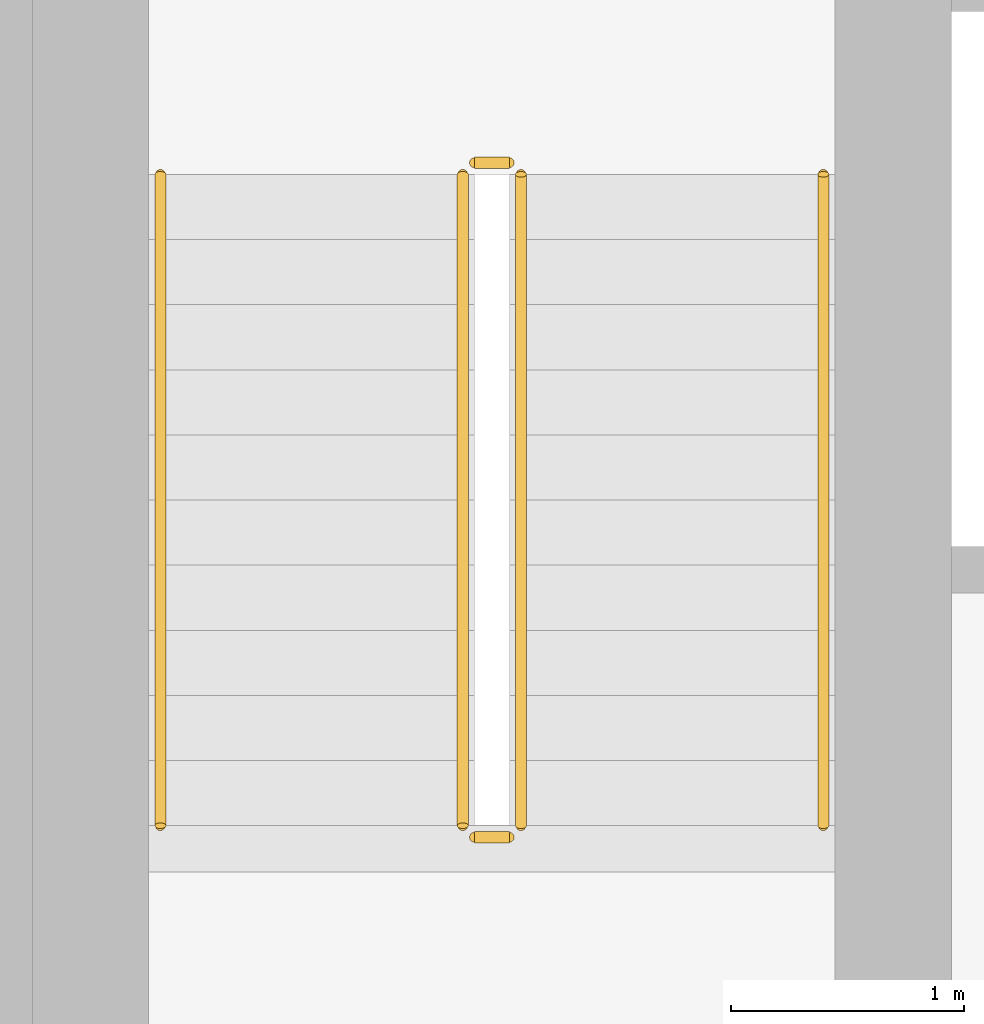
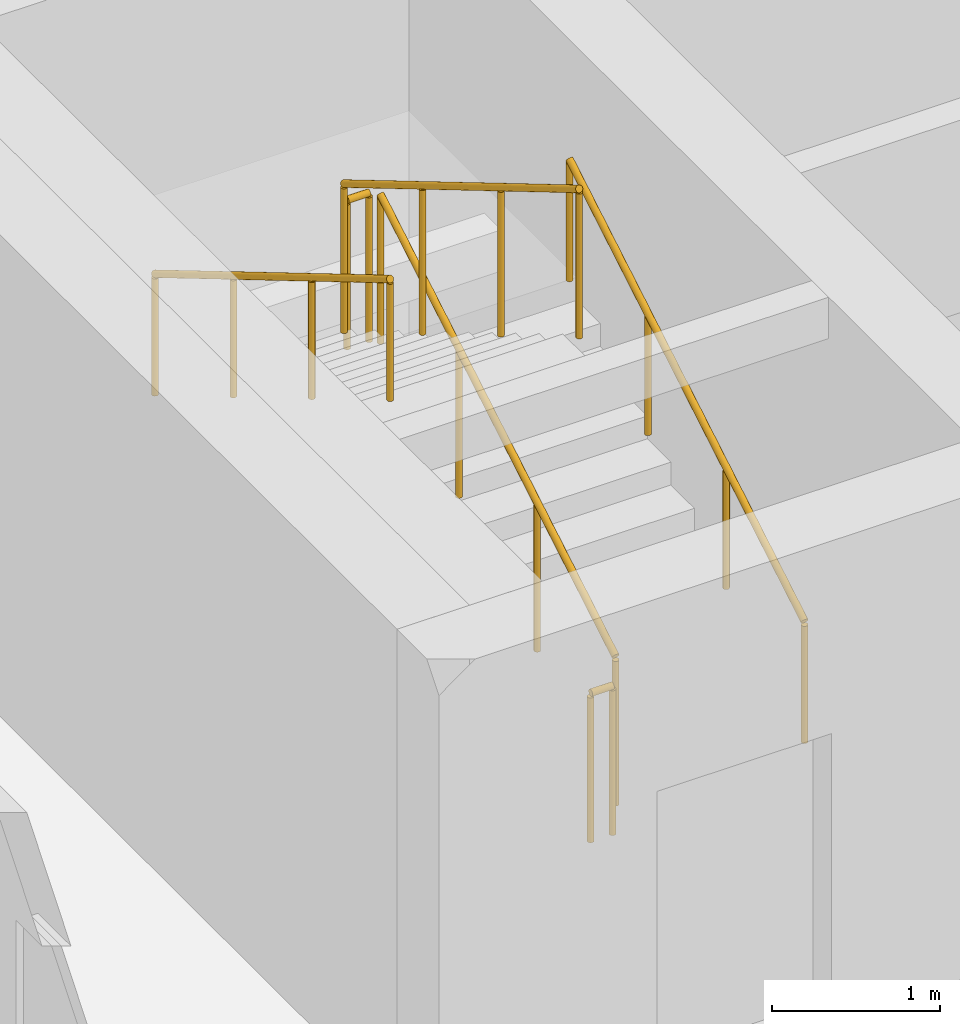
# One storey, part 18 of 22: 6 railings.
"""IFC4 building model written with IfcOpenShell, lengths in metres."""

import ifcopenshell
import ifcopenshell.guid

model = None  # the IFC model being written
_history = None  # IfcOwnerHistory: only IFC2X3 demands one
_inside = {}  # id of a spatial element -> (the spatial element, [elements in it])
_under = {}  # id of a project, library or spatial element -> (it, [spatial elements below it])
_declared = {}  # id of a project -> (the project, [libraries it declares])
_typed = {}  # id of a type object -> (the type object, [elements of that type])
_made_of = {}  # id of a material, layer set ... -> (it, [elements and type objects made of it])


def new_model(schema):
    """Start an empty IFC model of exactly this schema.

    Asked for "IFC4X3", IfcOpenShell would pick the latest addendum, in which some entities
    have other attributes; the version numbers below select the first issue.
    IFC2X3 requires an IfcOwnerHistory on every rooted entity: one is made here for all.
    """
    global model, _history
    if schema == "IFC4X3":
        model = ifcopenshell.file(schema_version=(4, 3, 0, 0))
    else:
        model = ifcopenshell.file(schema=schema)
    _inside.clear()
    _under.clear()
    _declared.clear()
    _typed.clear()
    _made_of.clear()
    _history = None
    if model.schema == "IFC2X3":
        org = make("IfcOrganization", Name="unknown")
        user = make(
            "IfcPersonAndOrganization",
            ThePerson=make("IfcPerson", FamilyName="unknown"),
            TheOrganization=org,
        )
        app = make(
            "IfcApplication",
            ApplicationDeveloper=org,
            Version="unknown",
            ApplicationFullName="unknown",
            ApplicationIdentifier="unknown",
        )
        _history = make(
            "IfcOwnerHistory",
            OwningUser=user,
            OwningApplication=app,
            ChangeAction="ADDED",
            CreationDate=0,
        )
    return model


def make(cls, **values):
    """One entity of the class cls with the attributes given. An attribute that is None is left unset."""
    return model.create_entity(
        cls, **{name: value for name, value in values.items() if value is not None}
    )


def rooted(cls, **values):
    """An entity with a GlobalId (a new one), such as an element, a storey or a relation."""
    return make(cls, GlobalId=ifcopenshell.guid.new(), OwnerHistory=_history, **values)


def si_unit(unit_type, name, prefix=None):
    """IfcSIUnit, for example si_unit("LENGTHUNIT", "METRE", prefix="MILLI")."""
    return make("IfcSIUnit", UnitType=unit_type, Prefix=prefix, Name=name)


def assignment(units):
    """IfcUnitAssignment: the units of a project."""
    return None if units is None else make("IfcUnitAssignment", Units=units)


def point(xyz):
    """IfcCartesianPoint."""
    return None if xyz is None else make("IfcCartesianPoint", Coordinates=xyz)


def direction(xyz):
    """IfcDirection."""
    return None if xyz is None else make("IfcDirection", DirectionRatios=xyz)


def frame(location, z_axis=None, x_axis=None):
    """IfcAxis2Placement3D, a coordinate frame: its origin and axes. An axis left out is left unset."""
    return make(
        "IfcAxis2Placement3D",
        Location=point(location),
        Axis=direction(z_axis),
        RefDirection=direction(x_axis),
    )


def frame_2d(location, x_axis=None):
    """IfcAxis2Placement2D, a coordinate frame in the plane: its origin and x axis."""
    return make(
        "IfcAxis2Placement2D", Location=point(location), RefDirection=direction(x_axis)
    )


def origin():
    """The frame at (0, 0, 0) with its axes left unset."""
    return frame((0.0, 0.0, 0.0))


def origin_2d():
    """The frame at (0, 0) in the plane with its x axis left unset."""
    return frame_2d((0.0, 0.0))


def place(relative_to, where):
    """IfcLocalPlacement: puts the frame where relative to a parent placement (None: the world)."""
    return make(
        "IfcLocalPlacement", PlacementRelTo=relative_to, RelativePlacement=where
    )


def context(
    kind, dimensions, precision=None, world=None, true_north=None, identifier=None
):
    """IfcGeometricRepresentationContext, for example the 3D "Model" context."""
    return make(
        "IfcGeometricRepresentationContext",
        ContextIdentifier=identifier,
        ContextType=kind,
        CoordinateSpaceDimension=dimensions,
        Precision=precision,
        WorldCoordinateSystem=world,
        TrueNorth=true_north,
    )


def subcontext(parent, identifier, kind, view, scale=None):
    """IfcGeometricRepresentationSubContext, for example "Body" below "Model"."""
    return make(
        "IfcGeometricRepresentationSubContext",
        ContextIdentifier=identifier,
        ContextType=kind,
        ParentContext=parent,
        TargetScale=scale,
        TargetView=view,
    )


def project(units=None, contexts=None):
    """IfcProject with its units and contexts."""
    return rooted(
        "IfcProject",
        Name="project",
        RepresentationContexts=contexts,
        UnitsInContext=assignment(units),
    )


def spatial(cls, under=None, at=None, **own):
    """A site, building, storey or space (cls), placed at a placement, below another one or the project."""
    s = rooted(cls, ObjectPlacement=at, **own)
    if under is not None:
        _under.setdefault(under.id(), (under, []))[1].append(s)
    return s


def profile(cls, at=None, kind="AREA", **sizes):
    """A parametric profile (cls). Its sizes go by their IFC names, for example OverallWidth=200.0."""
    return make(cls, ProfileType=kind, Position=at, **sizes)


def circle(**sizes):
    """IfcCircleProfileDef."""
    return profile("IfcCircleProfileDef", **sizes)


def extrude(swept, where, along, depth):
    """IfcExtrudedAreaSolid: the profile swept, set in the frame where, extruded along a direction by depth."""
    return make(
        "IfcExtrudedAreaSolid",
        SweptArea=swept,
        Position=where,
        ExtrudedDirection=direction(along),
        Depth=depth,
    )


def shape(context_of_items, identifier, shape_type, items):
    """IfcShapeRepresentation: the items that make up one representation, for example the "Body"."""
    return make(
        "IfcShapeRepresentation",
        ContextOfItems=context_of_items,
        RepresentationIdentifier=identifier,
        RepresentationType=shape_type,
        Items=items,
    )


def material(Name=None, Category=None):
    """IfcMaterial."""
    return make("IfcMaterial", Name=Name, Category=Category)


def made_of(thing, what):
    """Note that an element or type object is made of a material, layer set ...; save() writes the relation."""
    if what is not None:
        _made_of.setdefault(what.id(), (what, []))[1].append(thing)
    return thing


def type_object(cls, material=None, **own):
    """A type object (cls), such as IfcWallType, which elements share."""
    return made_of(rooted(cls, **own), material)


def element(
    cls,
    number,
    at=None,
    inside=None,
    cuts=None,
    type_object=None,
    material=None,
    context=None,
    identifier="Body",
    shape_type=None,
    held_by="IfcProductDefinitionShape",
    body=None,
    shapes=None,
    **own,
):
    """One element of the class cls, such as IfcWall. Its Tag is "e" and its number.

    at: its placement. inside: the storey or other place that contains it. cuts: it is an
    opening in that element (IfcRelVoidsElement). A single representation is given by context,
    identifier, shape_type and body (its items); several are given by shapes. held_by: the class
    of the entity that holds the representations. save() writes the other relations.
    """
    e = rooted(cls, Tag="e%d" % number, ObjectPlacement=at, **own)
    if body is not None:
        shapes = [shape(context, identifier, shape_type, body)]
    if shapes is not None:
        e.Representation = make(held_by, Representations=shapes)
    if inside is not None:
        _inside.setdefault(inside.id(), (inside, []))[1].append(e)
    if cuts is not None:
        rooted(
            "IfcRelVoidsElement", RelatingBuildingElement=cuts, RelatedOpeningElement=e
        )
    if type_object is not None:
        _typed.setdefault(type_object.id(), (type_object, []))[1].append(e)
    return made_of(e, material)


def aggregate(whole, parts):
    """IfcRelAggregates: a whole, such as a stair, and the parts it consists of."""
    return rooted("IfcRelAggregates", RelatingObject=whole, RelatedObjects=parts)


def save(model, path):
    """Write the relations noted so far, then the file.

    IfcRelAggregates (storeys below a building ...), IfcRelContainedInSpatialStructure (elements
    in a storey), IfcRelDefinesByType, IfcRelAssociatesMaterial and IfcRelDeclares: one each for
    every whole, place, type object, material and project.
    """
    for whole, parts in _under.values():
        aggregate(whole, parts)
    for where, things in _inside.values():
        rooted(
            "IfcRelContainedInSpatialStructure",
            RelatedElements=things,
            RelatingStructure=where,
        )
    for kind, things in _typed.values():
        rooted("IfcRelDefinesByType", RelatedObjects=things, RelatingType=kind)
    for what, things in _made_of.values():
        rooted("IfcRelAssociatesMaterial", RelatedObjects=things, RelatingMaterial=what)
    for by, libraries in _declared.values():
        rooted("IfcRelDeclares", RelatingContext=by, RelatedDefinitions=libraries)
    model.write(path)


model = new_model("IFC4")

# Units and contexts
model_context = context("Model", 3, precision=1e-05, world=origin(), true_north=direction((0.0, 1.0)))
body_context = subcontext(model_context, "Body", "Model", "MODEL_VIEW")
ifc_project = project(units=[si_unit("LENGTHUNIT", "METRE"), si_unit("AREAUNIT", "SQUARE_METRE"), si_unit("VOLUMEUNIT", "CUBIC_METRE"), si_unit("PLANEANGLEUNIT", "RADIAN"), si_unit("MASSUNIT", "GRAM", prefix="KILO")], contexts=[model_context])

# Site, building, storey
site_placement = place(None, origin())
site = spatial("IfcSite", under=ifc_project, at=site_placement, CompositionType="ELEMENT")
building_placement = place(site_placement, origin())
building = spatial("IfcBuilding", under=site, at=building_placement, Name="Isthmus Gate Tower", CompositionType="ELEMENT")
storey_placement = place(building_placement, frame((0.0, 0.0, 264.60009765625)))
storey = spatial("IfcBuildingStorey", under=building, at=storey_placement, Name="L67", CompositionType="ELEMENT", Elevation=264.60009765625)

# Railings
ifc_material_1 = material(Name="Stainless steel balustrade", Category="steel")
railing_type_1 = type_object("IfcRailingType", Name="STAIR GUARD 1100", PredefinedType="GUARDRAIL", material=ifc_material_1)
railing_1_placement = place(storey_placement, frame((-12.39990234375, 2.39990234375, 0.165771484375)))
element("IfcRailing", 1, at=railing_1_placement, inside=storey, type_object=railing_type_1, Name="L67 ST7 stair guard 1", PredefinedType="GUARDRAIL", context=body_context, shape_type="SweptSolid", body=[
    extrude(circle(Radius=0.02392578125, at=origin_2d()), frame((0.0, 0.0, 1.076171875), z_axis=(0.0, 0.860306154799, 0.50977771628), x_axis=(-1.0, 0.0, 0.0)), (0.0, 0.0, 1.0), 3.254638671875),
    extrude(circle(Radius=0.02099609375, at=origin_2d()), origin(), (0.0, 0.0, 1.0), 1.052001953125),
    extrude(circle(Radius=0.02099609375, at=origin_2d()), frame((0.0, 0.933349609375, 0.552978515625)), (0.0, 0.0, 1.0), 1.052001953125),
    extrude(circle(Radius=0.02099609375, at=origin_2d()), frame((0.0, 1.86669921875, 1.106201171875)), (0.0, 0.0, 1.0), 1.052001953125),
    extrude(circle(Radius=0.02099609375, at=origin_2d()), frame((0.0, 2.800048828125, 1.6591796875)), (0.0, 0.0, 1.0), 1.052001953125),
])
railing_2_placement = place(storey_placement, frame((-12.449951171875, 5.25, 1.824951171875)))
element("IfcRailing", 2, at=railing_2_placement, inside=storey, type_object=railing_type_1, Name="L67 ST7 stair guard 2", PredefinedType="GUARDRAIL", context=body_context, shape_type="SweptSolid", body=[
    extrude(circle(Radius=0.02392578125, at=origin_2d()), frame((0.0, 0.0, 1.076171875), z_axis=(-1.0, 0.0, 0.0), x_axis=(0.0, -1.0, 0.0)), (0.0, 0.0, 1.0), 0.150146484375),
    extrude(circle(Radius=0.02099609375, at=origin_2d()), origin(), (0.0, 0.0, 1.0), 1.052001953125),
    extrude(circle(Radius=0.02099609375, at=origin_2d()), frame((-0.150146484375, 0.0, 0.0)), (0.0, 0.0, 1.0), 1.052001953125),
])
railing_3_placement = place(storey_placement, frame((-12.64990234375, 5.199951171875, 1.99072265625)))
element("IfcRailing", 3, at=railing_3_placement, inside=storey, type_object=railing_type_1, Name="L67 ST7 stair guard 3", PredefinedType="GUARDRAIL", context=body_context, shape_type="SweptSolid", body=[
    extrude(circle(Radius=0.02392578125, at=origin_2d()), frame((0.0, 0.0, 1.076171875), z_axis=(0.0, -0.860306154799, 0.50977771628), x_axis=(1.0, 0.0, 0.0)), (0.0, 0.0, 1.0), 3.254638671875),
    extrude(circle(Radius=0.02099609375, at=origin_2d()), origin(), (0.0, 0.0, 1.0), 1.052001953125),
    extrude(circle(Radius=0.02099609375, at=origin_2d()), frame((0.0, -0.933349609375, 0.552978515625)), (0.0, 0.0, 1.0), 1.052001953125),
    extrude(circle(Radius=0.02099609375, at=origin_2d()), frame((0.0, -1.86669921875, 1.106201171875)), (0.0, 0.0, 1.0), 1.052001953125),
    extrude(circle(Radius=0.02099609375, at=origin_2d()), frame((0.0, -2.800048828125, 1.6591796875)), (0.0, 0.0, 1.0), 1.052001953125),
])
railing_4_placement = place(storey_placement, frame((-12.449951171875, 2.35009765625, 0.0)))
element("IfcRailing", 4, at=railing_4_placement, inside=storey, type_object=railing_type_1, Name="L67 ST7 stair guard 4", PredefinedType="GUARDRAIL", context=body_context, shape_type="SweptSolid", body=[
    extrude(circle(Radius=0.02392578125, at=origin_2d()), frame((0.0, 0.0, 1.076171875), z_axis=(-1.0, 0.0, 0.0), x_axis=(0.0, -1.0, 0.0)), (0.0, 0.0, 1.0), 0.150146484375),
    extrude(circle(Radius=0.02099609375, at=origin_2d()), origin(), (0.0, 0.0, 1.0), 1.052001953125),
    extrude(circle(Radius=0.02099609375, at=origin_2d()), frame((-0.150146484375, 0.0, 0.0)), (0.0, 0.0, 1.0), 1.052001953125),
])
ifc_material_2 = material(Name="Stainless steel handrail", Category="steel")
railing_type_2 = type_object("IfcRailingType", Name="STAIR HANDRAIL 900", PredefinedType="HANDRAIL", material=ifc_material_2)
railing_5_placement = place(storey_placement, frame((-11.10009765625, 2.39990234375, 0.165771484375)))
element("IfcRailing", 5, at=railing_5_placement, inside=storey, type_object=railing_type_2, Name="L67 ST7 stair handrail 1", PredefinedType="HANDRAIL", context=body_context, shape_type="SweptSolid", body=[
    extrude(circle(Radius=0.02392578125, at=origin_2d()), frame((0.0, 0.0, 0.8759765625), z_axis=(0.0, 0.860306154799, 0.50977771628), x_axis=(-1.0, 0.0, 0.0)), (0.0, 0.0, 1.0), 3.254638671875),
    extrude(circle(Radius=0.02099609375, at=origin_2d()), origin(), (0.0, 0.0, 1.0), 0.851806640625),
    extrude(circle(Radius=0.02099609375, at=origin_2d()), frame((0.0, 0.933349609375, 0.552978515625)), (0.0, 0.0, 1.0), 0.851806640625),
    extrude(circle(Radius=0.02099609375, at=origin_2d()), frame((0.0, 1.86669921875, 1.106201171875)), (0.0, 0.0, 1.0), 0.851806640625),
    extrude(circle(Radius=0.02099609375, at=origin_2d()), frame((0.0, 2.800048828125, 1.6591796875)), (0.0, 0.0, 1.0), 0.851806640625),
])
railing_6_placement = place(storey_placement, frame((-13.949951171875, 5.199951171875, 1.99072265625)))
element("IfcRailing", 6, at=railing_6_placement, inside=storey, type_object=railing_type_2, Name="L67 ST7 stair handrail 2", PredefinedType="HANDRAIL", context=body_context, shape_type="SweptSolid", body=[
    extrude(circle(Radius=0.02392578125, at=origin_2d()), frame((0.0, 0.0, 0.8759765625), z_axis=(0.0, -0.860306154799, 0.50977771628), x_axis=(1.0, 0.0, 0.0)), (0.0, 0.0, 1.0), 3.254638671875),
    extrude(circle(Radius=0.02099609375, at=origin_2d()), origin(), (0.0, 0.0, 1.0), 0.851806640625),
    extrude(circle(Radius=0.02099609375, at=origin_2d()), frame((0.0, -0.933349609375, 0.552978515625)), (0.0, 0.0, 1.0), 0.851806640625),
    extrude(circle(Radius=0.02099609375, at=origin_2d()), frame((0.0, -1.86669921875, 1.106201171875)), (0.0, 0.0, 1.0), 0.851806640625),
    extrude(circle(Radius=0.02099609375, at=origin_2d()), frame((0.0, -2.800048828125, 1.6591796875)), (0.0, 0.0, 1.0), 0.851806640625),
])

save(model, "model.ifc")
